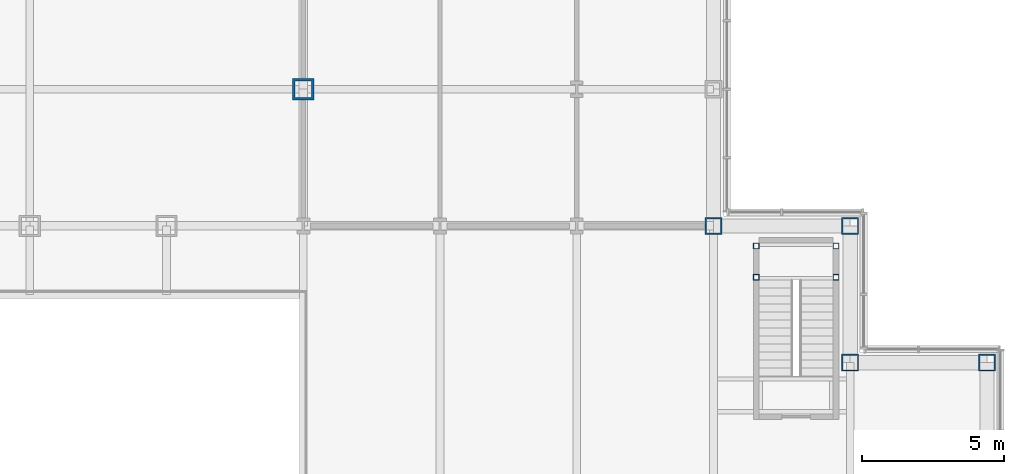
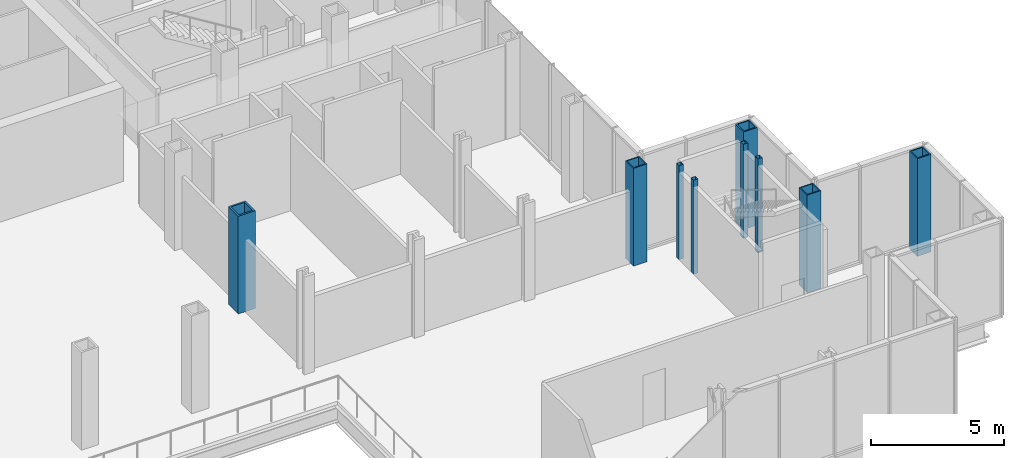
# One storey, part 5 of 26: 9 columns.
"""IFC4 building model written with IfcOpenShell, lengths in metres."""

from ifc_helpers import new_model, si_unit, direction, frame, origin, origin_2d, place, context, subcontext, project, spatial, hollow_rectangle, extrude, material, material_profile, profile_set, type_object, element, save


model = new_model("IFC4")

# Units and contexts
model_context = context("Model", 3, precision=1e-05, world=origin(), true_north=direction((0.0, 1.0)))
body_context = subcontext(model_context, "Body", "Model", "MODEL_VIEW")
ifc_project = project(units=[si_unit("LENGTHUNIT", "METRE"), si_unit("AREAUNIT", "SQUARE_METRE"), si_unit("VOLUMEUNIT", "CUBIC_METRE"), si_unit("PLANEANGLEUNIT", "RADIAN"), si_unit("MASSUNIT", "GRAM", prefix="KILO")], contexts=[model_context])

# Site, building, storey
site_placement = place(None, origin())
site = spatial("IfcSite", under=ifc_project, at=site_placement, CompositionType="ELEMENT")
building_placement = place(site_placement, origin())
building = spatial("IfcBuilding", under=site, at=building_placement, Name="Kvirike Care Tower", CompositionType="ELEMENT")
storey_placement = place(building_placement, frame((0.0, 0.0, 18.0)))
storey = spatial("IfcBuildingStorey", under=building, at=storey_placement, Name="L04", CompositionType="ELEMENT", Elevation=18.0)

# Columns
ifc_material_1 = material(Name="Steel S460", Category="steel")
ifc_material_profile_1 = material_profile(ifc_material_1, hollow_rectangle(XDim=0.60009765625, YDim=0.60009765625, WallThickness=0.050048828125, at=origin_2d()), Name="BX 600x600x50")
ifc_profile_set_1 = profile_set([ifc_material_profile_1], Name="Steel S460")
column_type_1 = type_object("IfcColumnType", Name="COLUMN BX 600x600x50", PredefinedType="COLUMN", material=ifc_profile_set_1)
for number, where, z_axis, x_axis, name in (
    (1, (43.199951171875, 14.39990234375, 0.0), (0.0, 0.0, 1.0), (0.0, 1.0, 0.0), "Column D12 L04"),
    (2, (48.0, 9.60009765625, 0.0), (0.0, 0.0, 1.0), (0.0, 1.0, 0.0), "Column C13 L04"),
    (3, (48.0, 14.39990234375, 0.0), (0.0, 0.0, 1.0), (0.0, 1.0, 0.0), "Column D13 L04"),
    (4, (52.800048828125, 9.60009765625, 0.0), (0.0, 0.0, 1.0), (0.0, 1.0, 0.0), "Column C14 L04"),
):
    element("IfcColumn", number, at=place(storey_placement, frame(where, z_axis=z_axis, x_axis=x_axis)), inside=storey, type_object=column_type_1, Name=name, PredefinedType="COLUMN", context=body_context, shape_type="SweptSolid", body=[
        extrude(hollow_rectangle(XDim=0.60009765625, YDim=0.60009765625, WallThickness=0.050048828125, at=origin_2d()), origin(), (0.0, 0.0, 1.0), 4.5),
    ])
ifc_material_2 = material(Name="Steel S460", Category="steel")
ifc_material_profile_2 = material_profile(ifc_material_2, hollow_rectangle(XDim=0.75, YDim=0.75, WallThickness=0.080078125, at=origin_2d()), Name="BX 750x750x80")
ifc_profile_set_2 = profile_set([ifc_material_profile_2], Name="Steel S460")
column_type_2 = type_object("IfcColumnType", Name="COLUMN BX 750x750x80", PredefinedType="COLUMN", material=ifc_profile_set_2)
column_placement = place(storey_placement, frame((28.800048828125, 19.199951171875, 0.0), z_axis=(0.0, 0.0, 1.0), x_axis=(1.0, 0.0, 0.0)))
element("IfcColumn", 5, at=column_placement, inside=storey, type_object=column_type_2, Name="Column E9 L04", PredefinedType="COLUMN", context=body_context, shape_type="SweptSolid", body=[
    extrude(hollow_rectangle(XDim=0.75, YDim=0.75, WallThickness=0.080078125, at=origin_2d()), origin(), (0.0, 0.0, 1.0), 4.5),
])
ifc_material_3 = material(Name="Steel S460", Category="steel")
ifc_material_profile_3 = material_profile(ifc_material_3, hollow_rectangle(XDim=0.199951171875, YDim=0.199951171875, WallThickness=0.008056640625, at=origin_2d()), Name="SHS 200x200x8")
ifc_profile_set_3 = profile_set([ifc_material_profile_3], Name="Steel S460")
column_type_3 = type_object("IfcColumnType", Name="STAIR POST SHS 200x200x8", PredefinedType="COLUMN", material=ifc_profile_set_3)
for number, where, z_axis, x_axis, name in (
    (6, (44.699951171875, 13.699951171875, 0.0), (0.0, 0.0, 1.0), (1.0, 0.0, 0.0), "Stair 4 post 1 L04"),
    (7, (47.5, 13.699951171875, 0.0), (0.0, 0.0, 1.0), (1.0, 0.0, 0.0), "Stair 4 post 2 L04"),
    (8, (44.699951171875, 12.60009765625, 0.0), (0.0, 0.0, 1.0), (1.0, 0.0, 0.0), "Stair 4 post 3 L04"),
    (9, (47.5, 12.60009765625, 0.0), (0.0, 0.0, 1.0), (1.0, 0.0, 0.0), "Stair 4 post 4 L04"),
):
    element("IfcColumn", number, at=place(storey_placement, frame(where, z_axis=z_axis, x_axis=x_axis)), inside=storey, type_object=column_type_3, Name=name, PredefinedType="COLUMN", context=body_context, shape_type="SweptSolid", body=[
        extrude(hollow_rectangle(XDim=0.199951171875, YDim=0.199951171875, WallThickness=0.008056640625, at=origin_2d()), origin(), (0.0, 0.0, 1.0), 4.330078125),
    ])

save(model, "model.ifc")
